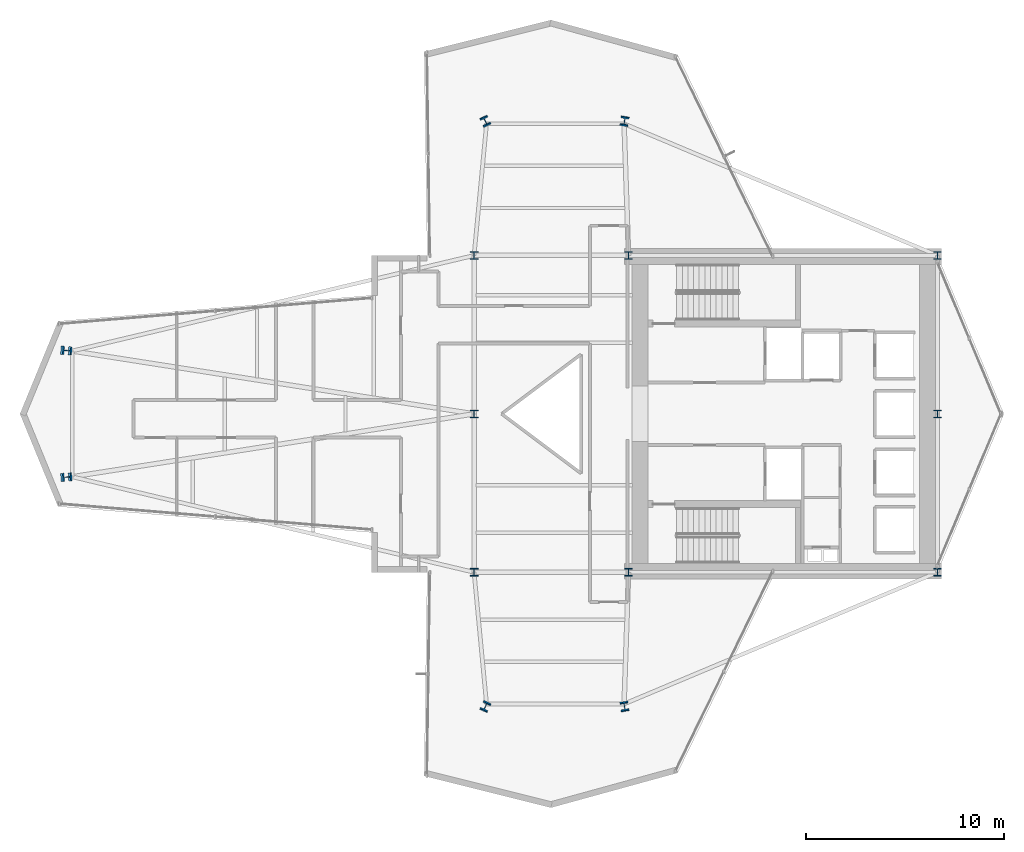
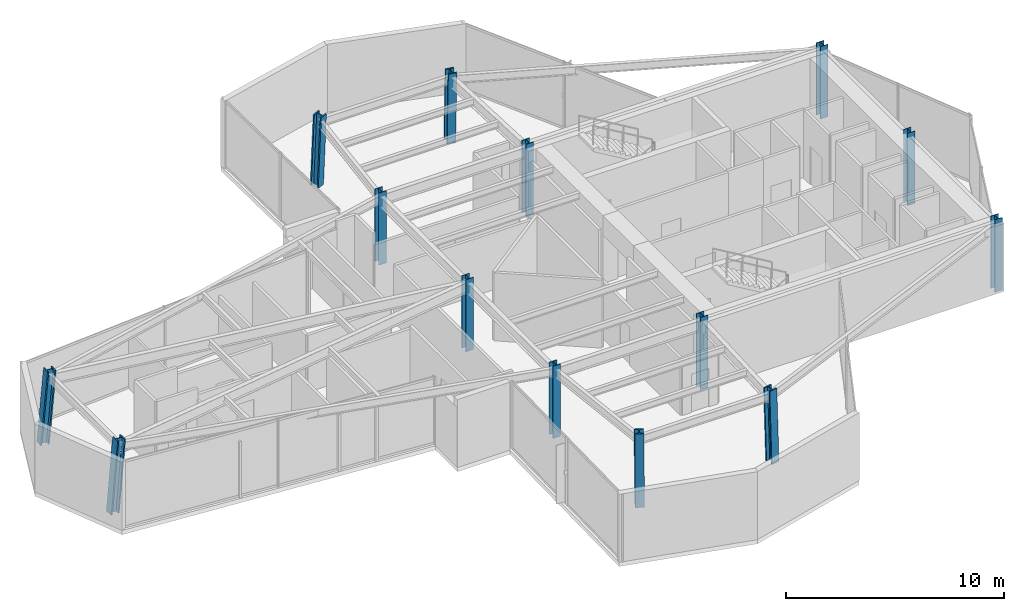
# One storey, part 1 of 24: 14 columns.
"""IFC4 building model written with IfcOpenShell, lengths in metres."""

from ifc_helpers import new_model, si_unit, direction, frame, origin, origin_2d, place, context, subcontext, project, spatial, i_section, extrude, material, material_profile, profile_set, type_object, element, save


model = new_model("IFC4")

# Units and contexts
model_context = context("Model", 3, precision=1e-05, world=origin(), true_north=direction((0.0, 1.0)))
body_context = subcontext(model_context, "Body", "Model", "MODEL_VIEW")
ifc_project = project(units=[si_unit("LENGTHUNIT", "METRE"), si_unit("AREAUNIT", "SQUARE_METRE"), si_unit("VOLUMEUNIT", "CUBIC_METRE"), si_unit("PLANEANGLEUNIT", "RADIAN"), si_unit("MASSUNIT", "GRAM", prefix="KILO")], contexts=[model_context])

# Site, building, storey
site_placement = place(None, origin())
site = spatial("IfcSite", under=ifc_project, at=site_placement, CompositionType="ELEMENT")
building_placement = place(site_placement, origin())
building = spatial("IfcBuilding", under=site, at=building_placement, Name="Veymaron Broadcast Tower", CompositionType="ELEMENT")
storey_placement = place(building_placement, frame((0.0, 0.0, 124.949951171875)))
storey = spatial("IfcBuildingStorey", under=building, at=storey_placement, Name="L28", CompositionType="ELEMENT", Elevation=124.949951171875)

# Columns
ifc_material_1 = material(Name="Structural steel ASTM A992 Gr 50", Category="steel")
ifc_material_profile_1 = material_profile(ifc_material_1, i_section(OverallWidth=0.39794921875, OverallDepth=0.386962890625, WebThickness=0.02099609375, FlangeThickness=0.033203125, at=origin_2d()), Name="W360X262")
ifc_profile_set_1 = profile_set([ifc_material_profile_1], Name="Structural steel ASTM A992 Gr 50")
column_type_1 = type_object("IfcColumnType", Name="COL-HC2", PredefinedType="COLUMN", material=ifc_profile_set_1)
for number, where, z_axis, x_axis, name in (
    (1, (31.199951171875, 16.0, 0.0), (0.0, 0.0, 1.0), (1.0, 0.0, 0.0), "L28 structural hub and core column"),
    (2, (31.199951171875, 24.0, 0.0), (0.0, 0.0, 1.0), (1.0, 0.0, 0.0), "L28 structural hub and core column"),
    (3, (31.199951171875, 32.0, 0.0), (0.0, 0.0, 1.0), (1.0, 0.0, 0.0), "L28 structural hub and core column"),
    (4, (39.0, 16.0, 0.0), (0.0, 0.0, 1.0), (1.0, 0.0, 0.0), "L28 structural hub and core column"),
    (5, (39.0, 32.0, 0.0), (0.0, 0.0, 1.0), (1.0, 0.0, 0.0), "L28 structural hub and core column"),
    (6, (54.60009765625, 16.0, 0.0), (0.0, 0.0, 1.0), (1.0, 0.0, 0.0), "L28 structural hub and core column"),
    (7, (54.60009765625, 24.0, 0.0), (0.0, 0.0, 1.0), (1.0, 0.0, 0.0), "L28 structural hub and core column"),
    (8, (54.60009765625, 32.0, 0.0), (0.0, 0.0, 1.0), (1.0, 0.0, 0.0), "L28 structural hub and core column"),
):
    element("IfcColumn", number, at=place(storey_placement, frame(where, z_axis=z_axis, x_axis=x_axis)), inside=storey, type_object=column_type_1, Name=name, PredefinedType="COLUMN", context=body_context, shape_type="SweptSolid", body=[
        extrude(i_section(OverallWidth=0.39794921875, OverallDepth=0.386962890625, WebThickness=0.02099609375, FlangeThickness=0.033203125, at=origin_2d()), origin(), (0.0, 0.0, 1.0), 4.0439453125),
    ])
ifc_material_2 = material(Name="Structural steel ASTM A913 Gr 65", Category="steel")
ifc_material_profile_2 = material_profile(ifc_material_2, i_section(OverallWidth=0.41796875, OverallDepth=0.455078125, WebThickness=0.0419921875, FlangeThickness=0.067626953125, at=origin_2d()), Name="W360X551")
ifc_profile_set_2 = profile_set([ifc_material_profile_2], Name="Structural steel ASTM A913 Gr 65")
column_type_2 = type_object("IfcColumnType", Name="COL-MC2", PredefinedType="COLUMN", material=ifc_profile_set_2)
for number, where, z_axis, x_axis, name in (
    (9, (10.56005859375, 20.800048828125, 0.01611328125), (0.085543749702, 0.006175132675, 0.996315278726), (-0.071999487784, 0.997404669008, 0.0), "L28 Tapered Wing Mega Column"),
    (10, (10.56005859375, 27.199951171875, 0.01611328125), (0.085543749702, -0.006175132675, 0.996315278726), (0.071999487784, 0.997404669008, 0.0), "L28 Tapered Wing Mega Column"),
):
    element("IfcColumn", number, at=place(storey_placement, frame(where, z_axis=z_axis, x_axis=x_axis)), inside=storey, type_object=column_type_2, Name=name, PredefinedType="COLUMN", context=body_context, shape_type="SweptSolid", body=[
        extrude(i_section(OverallWidth=0.41796875, OverallDepth=0.455078125, WebThickness=0.0419921875, FlangeThickness=0.067626953125, at=origin_2d()), origin(), (0.0, 0.0, 1.0), 4.03271484375),
    ])
column_1_placement = place(storey_placement, frame((31.760009765625, 38.800048828125, 0.01611328125), z_axis=(0.017424577167, -0.037338379644, 0.999150754149), x_axis=(0.906183139995, 0.422885465331, 0.0)))
element("IfcColumn", 11, at=column_1_placement, inside=storey, type_object=column_type_2, Name="L28 Tapered Wing Mega Column", PredefinedType="COLUMN", context=body_context, shape_type="SweptSolid", body=[
    extrude(i_section(OverallWidth=0.41796875, OverallDepth=0.455078125, WebThickness=0.0419921875, FlangeThickness=0.067626953125, at=origin_2d()), origin(), (0.0, 0.0, 1.0), 4.021240234375),
])
column_2_placement = place(storey_placement, frame((38.800048828125, 38.800048828125, 0.01611328125), z_axis=(-0.006254246892, -0.037343318823, 0.999282923368), x_axis=(0.986263587143, -0.165179104839, 0.0)))
element("IfcColumn", 12, at=column_2_placement, inside=storey, type_object=column_type_2, Name="L28 Tapered Wing Mega Column", PredefinedType="COLUMN", context=body_context, shape_type="SweptSolid", body=[
    extrude(i_section(OverallWidth=0.41796875, OverallDepth=0.455078125, WebThickness=0.0419921875, FlangeThickness=0.067626953125, at=origin_2d()), origin(), (0.0, 0.0, 1.0), 4.020751953125),
])
column_3_placement = place(storey_placement, frame((31.760009765625, 9.199951171875, 0.01611328125), z_axis=(0.017424577167, 0.037338379644, 0.999150754149), x_axis=(-0.906183139995, 0.422885465331, 0.0)))
element("IfcColumn", 13, at=column_3_placement, inside=storey, type_object=column_type_2, Name="L28 Tapered Wing Mega Column", PredefinedType="COLUMN", context=body_context, shape_type="SweptSolid", body=[
    extrude(i_section(OverallWidth=0.41796875, OverallDepth=0.455078125, WebThickness=0.0419921875, FlangeThickness=0.067626953125, at=origin_2d()), origin(), (0.0, 0.0, 1.0), 4.021240234375),
])
column_4_placement = place(storey_placement, frame((38.800048828125, 9.199951171875, 0.01611328125), z_axis=(-0.006254246892, 0.037343318823, 0.999282923368), x_axis=(-0.986263587143, -0.165179104839, 0.0)))
element("IfcColumn", 14, at=column_4_placement, inside=storey, type_object=column_type_2, Name="L28 Tapered Wing Mega Column", PredefinedType="COLUMN", context=body_context, shape_type="SweptSolid", body=[
    extrude(i_section(OverallWidth=0.41796875, OverallDepth=0.455078125, WebThickness=0.0419921875, FlangeThickness=0.067626953125, at=origin_2d()), origin(), (0.0, 0.0, 1.0), 4.020751953125),
])

save(model, "model.ifc")
